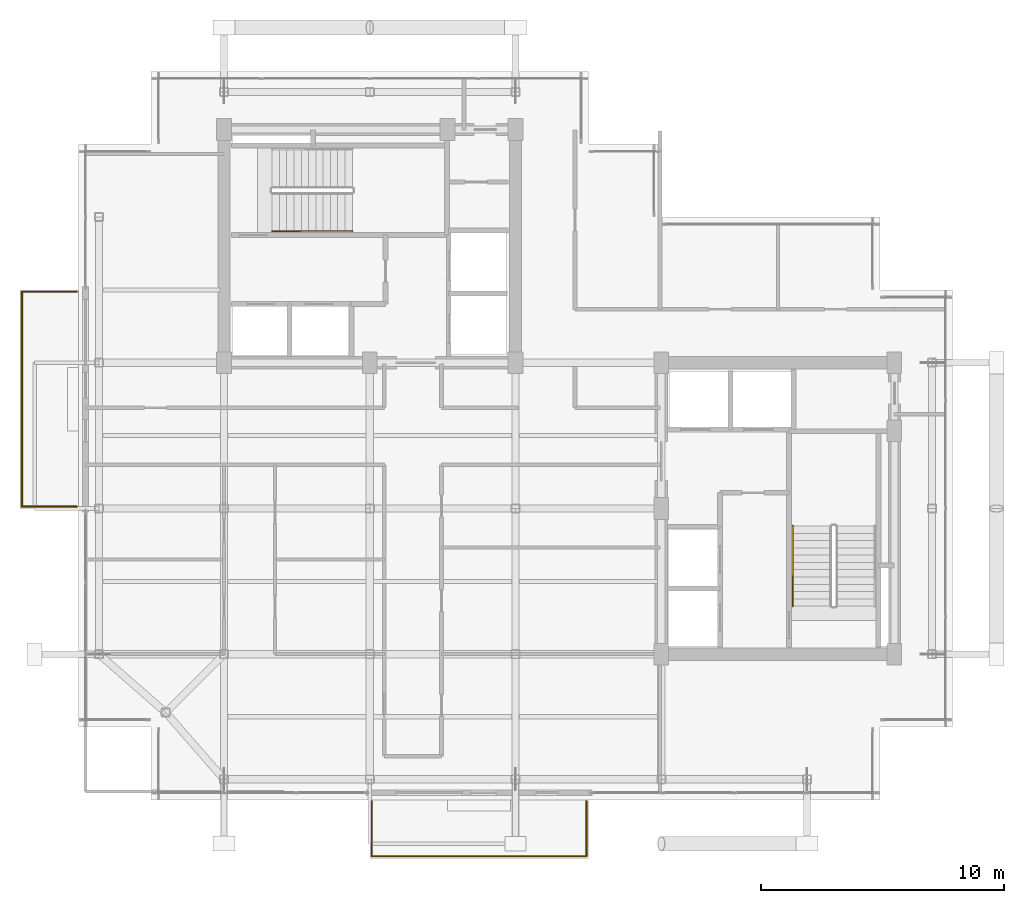
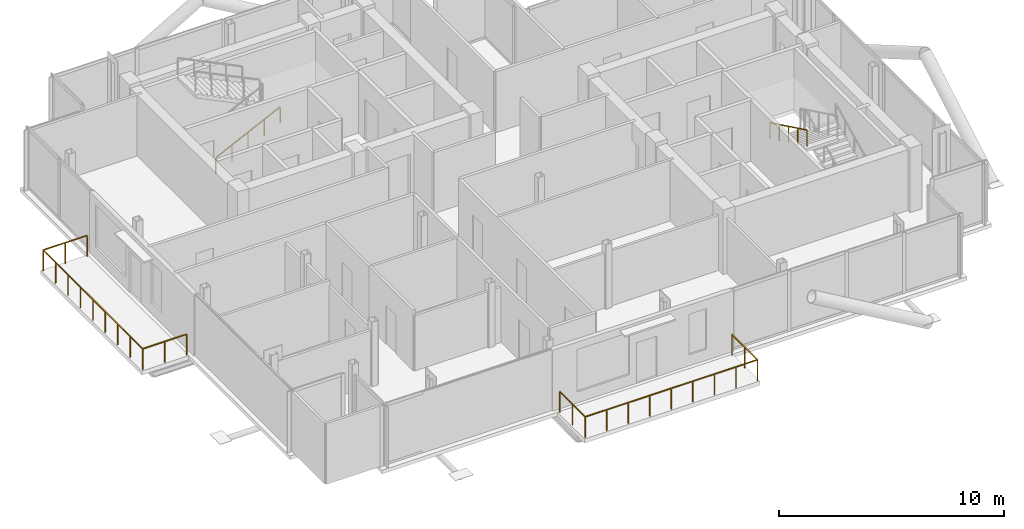
# One storey, part 17 of 18: 4 railings.
"""IFC4 building model written with IfcOpenShell, lengths in metres."""

import ifcopenshell
import ifcopenshell.guid

model = None  # the IFC model being written
_history = None  # IfcOwnerHistory: only IFC2X3 demands one
_inside = {}  # id of a spatial element -> (the spatial element, [elements in it])
_under = {}  # id of a project, library or spatial element -> (it, [spatial elements below it])
_declared = {}  # id of a project -> (the project, [libraries it declares])
_typed = {}  # id of a type object -> (the type object, [elements of that type])
_made_of = {}  # id of a material, layer set ... -> (it, [elements and type objects made of it])


def new_model(schema):
    """Start an empty IFC model of exactly this schema.

    Asked for "IFC4X3", IfcOpenShell would pick the latest addendum, in which some entities
    have other attributes; the version numbers below select the first issue.
    IFC2X3 requires an IfcOwnerHistory on every rooted entity: one is made here for all.
    """
    global model, _history
    if schema == "IFC4X3":
        model = ifcopenshell.file(schema_version=(4, 3, 0, 0))
    else:
        model = ifcopenshell.file(schema=schema)
    _inside.clear()
    _under.clear()
    _declared.clear()
    _typed.clear()
    _made_of.clear()
    _history = None
    if model.schema == "IFC2X3":
        org = make("IfcOrganization", Name="unknown")
        user = make(
            "IfcPersonAndOrganization",
            ThePerson=make("IfcPerson", FamilyName="unknown"),
            TheOrganization=org,
        )
        app = make(
            "IfcApplication",
            ApplicationDeveloper=org,
            Version="unknown",
            ApplicationFullName="unknown",
            ApplicationIdentifier="unknown",
        )
        _history = make(
            "IfcOwnerHistory",
            OwningUser=user,
            OwningApplication=app,
            ChangeAction="ADDED",
            CreationDate=0,
        )
    return model


def make(cls, **values):
    """One entity of the class cls with the attributes given. An attribute that is None is left unset."""
    return model.create_entity(
        cls, **{name: value for name, value in values.items() if value is not None}
    )


def rooted(cls, **values):
    """An entity with a GlobalId (a new one), such as an element, a storey or a relation."""
    return make(cls, GlobalId=ifcopenshell.guid.new(), OwnerHistory=_history, **values)


def si_unit(unit_type, name, prefix=None):
    """IfcSIUnit, for example si_unit("LENGTHUNIT", "METRE", prefix="MILLI")."""
    return make("IfcSIUnit", UnitType=unit_type, Prefix=prefix, Name=name)


def assignment(units):
    """IfcUnitAssignment: the units of a project."""
    return None if units is None else make("IfcUnitAssignment", Units=units)


def point(xyz):
    """IfcCartesianPoint."""
    return None if xyz is None else make("IfcCartesianPoint", Coordinates=xyz)


def direction(xyz):
    """IfcDirection."""
    return None if xyz is None else make("IfcDirection", DirectionRatios=xyz)


def frame(location, z_axis=None, x_axis=None):
    """IfcAxis2Placement3D, a coordinate frame: its origin and axes. An axis left out is left unset."""
    return make(
        "IfcAxis2Placement3D",
        Location=point(location),
        Axis=direction(z_axis),
        RefDirection=direction(x_axis),
    )


def frame_2d(location, x_axis=None):
    """IfcAxis2Placement2D, a coordinate frame in the plane: its origin and x axis."""
    return make(
        "IfcAxis2Placement2D", Location=point(location), RefDirection=direction(x_axis)
    )


def origin():
    """The frame at (0, 0, 0) with its axes left unset."""
    return frame((0.0, 0.0, 0.0))


def origin_2d():
    """The frame at (0, 0) in the plane with its x axis left unset."""
    return frame_2d((0.0, 0.0))


def place(relative_to, where):
    """IfcLocalPlacement: puts the frame where relative to a parent placement (None: the world)."""
    return make(
        "IfcLocalPlacement", PlacementRelTo=relative_to, RelativePlacement=where
    )


def context(
    kind, dimensions, precision=None, world=None, true_north=None, identifier=None
):
    """IfcGeometricRepresentationContext, for example the 3D "Model" context."""
    return make(
        "IfcGeometricRepresentationContext",
        ContextIdentifier=identifier,
        ContextType=kind,
        CoordinateSpaceDimension=dimensions,
        Precision=precision,
        WorldCoordinateSystem=world,
        TrueNorth=true_north,
    )


def subcontext(parent, identifier, kind, view, scale=None):
    """IfcGeometricRepresentationSubContext, for example "Body" below "Model"."""
    return make(
        "IfcGeometricRepresentationSubContext",
        ContextIdentifier=identifier,
        ContextType=kind,
        ParentContext=parent,
        TargetScale=scale,
        TargetView=view,
    )


def project(units=None, contexts=None):
    """IfcProject with its units and contexts."""
    return rooted(
        "IfcProject",
        Name="project",
        RepresentationContexts=contexts,
        UnitsInContext=assignment(units),
    )


def spatial(cls, under=None, at=None, **own):
    """A site, building, storey or space (cls), placed at a placement, below another one or the project."""
    s = rooted(cls, ObjectPlacement=at, **own)
    if under is not None:
        _under.setdefault(under.id(), (under, []))[1].append(s)
    return s


def profile(cls, at=None, kind="AREA", **sizes):
    """A parametric profile (cls). Its sizes go by their IFC names, for example OverallWidth=200.0."""
    return make(cls, ProfileType=kind, Position=at, **sizes)


def rectangle(**sizes):
    """IfcRectangleProfileDef."""
    return profile("IfcRectangleProfileDef", **sizes)


def extrude(swept, where, along, depth):
    """IfcExtrudedAreaSolid: the profile swept, set in the frame where, extruded along a direction by depth."""
    return make(
        "IfcExtrudedAreaSolid",
        SweptArea=swept,
        Position=where,
        ExtrudedDirection=direction(along),
        Depth=depth,
    )


def shape(context_of_items, identifier, shape_type, items):
    """IfcShapeRepresentation: the items that make up one representation, for example the "Body"."""
    return make(
        "IfcShapeRepresentation",
        ContextOfItems=context_of_items,
        RepresentationIdentifier=identifier,
        RepresentationType=shape_type,
        Items=items,
    )


def material(Name=None, Category=None):
    """IfcMaterial."""
    return make("IfcMaterial", Name=Name, Category=Category)


def made_of(thing, what):
    """Note that an element or type object is made of a material, layer set ...; save() writes the relation."""
    if what is not None:
        _made_of.setdefault(what.id(), (what, []))[1].append(thing)
    return thing


def type_object(cls, material=None, **own):
    """A type object (cls), such as IfcWallType, which elements share."""
    return made_of(rooted(cls, **own), material)


def element(
    cls,
    number,
    at=None,
    inside=None,
    cuts=None,
    type_object=None,
    material=None,
    context=None,
    identifier="Body",
    shape_type=None,
    held_by="IfcProductDefinitionShape",
    body=None,
    shapes=None,
    **own,
):
    """One element of the class cls, such as IfcWall. Its Tag is "e" and its number.

    at: its placement. inside: the storey or other place that contains it. cuts: it is an
    opening in that element (IfcRelVoidsElement). A single representation is given by context,
    identifier, shape_type and body (its items); several are given by shapes. held_by: the class
    of the entity that holds the representations. save() writes the other relations.
    """
    e = rooted(cls, Tag="e%d" % number, ObjectPlacement=at, **own)
    if body is not None:
        shapes = [shape(context, identifier, shape_type, body)]
    if shapes is not None:
        e.Representation = make(held_by, Representations=shapes)
    if inside is not None:
        _inside.setdefault(inside.id(), (inside, []))[1].append(e)
    if cuts is not None:
        rooted(
            "IfcRelVoidsElement", RelatingBuildingElement=cuts, RelatedOpeningElement=e
        )
    if type_object is not None:
        _typed.setdefault(type_object.id(), (type_object, []))[1].append(e)
    return made_of(e, material)


def aggregate(whole, parts):
    """IfcRelAggregates: a whole, such as a stair, and the parts it consists of."""
    return rooted("IfcRelAggregates", RelatingObject=whole, RelatedObjects=parts)


def save(model, path):
    """Write the relations noted so far, then the file.

    IfcRelAggregates (storeys below a building ...), IfcRelContainedInSpatialStructure (elements
    in a storey), IfcRelDefinesByType, IfcRelAssociatesMaterial and IfcRelDeclares: one each for
    every whole, place, type object, material and project.
    """
    for whole, parts in _under.values():
        aggregate(whole, parts)
    for where, things in _inside.values():
        rooted(
            "IfcRelContainedInSpatialStructure",
            RelatedElements=things,
            RelatingStructure=where,
        )
    for kind, things in _typed.values():
        rooted("IfcRelDefinesByType", RelatedObjects=things, RelatingType=kind)
    for what, things in _made_of.values():
        rooted("IfcRelAssociatesMaterial", RelatedObjects=things, RelatingMaterial=what)
    for by, libraries in _declared.values():
        rooted("IfcRelDeclares", RelatingContext=by, RelatedDefinitions=libraries)
    model.write(path)


model = new_model("IFC4")

# Units and contexts
model_context = context("Model", 3, precision=1e-05, world=origin(), true_north=direction((0.0, 1.0)))
body_context = subcontext(model_context, "Body", "Model", "MODEL_VIEW")
ifc_project = project(units=[si_unit("LENGTHUNIT", "METRE"), si_unit("AREAUNIT", "SQUARE_METRE"), si_unit("VOLUMEUNIT", "CUBIC_METRE"), si_unit("PLANEANGLEUNIT", "RADIAN"), si_unit("MASSUNIT", "GRAM", prefix="KILO"), si_unit("THERMODYNAMICTEMPERATUREUNIT", "KELVIN"), si_unit("POWERUNIT", "WATT")], contexts=[model_context])

# Site, building, storey
site_placement = place(None, origin())
site = spatial("IfcSite", under=ifc_project, at=site_placement, CompositionType="ELEMENT")
building_placement = place(site_placement, origin())
building = spatial("IfcBuilding", under=site, at=building_placement, Name="Svarakhadi Broadcast Tower", CompositionType="ELEMENT")
storey_placement = place(building_placement, frame((0.0, 0.0, 264.199951171875)))
storey = spatial("IfcBuildingStorey", under=building, at=storey_placement, Name="L66", CompositionType="ELEMENT", Elevation=264.199951171875)

# Railings
ifc_material_1 = material(Name="Laminated Structural SentryGlas Balustrade 25.5 mm", Category="glass")
railing_type_1 = type_object("IfcRailingType", Name="Guard_Balcony_GR01", PredefinedType="BALUSTRADE", material=ifc_material_1)
railing_1_placement = place(storey_placement, frame((12.080078125, -0.06005859375, 0.0)))
element("IfcRailing", 1, at=railing_1_placement, inside=storey, type_object=railing_type_1, Name="L66 South Tree Balcony Guard GR-05", PredefinedType="BALUSTRADE", context=body_context, shape_type="SweptSolid", body=[
    extrude(rectangle(XDim=0.048095703125, YDim=0.048095703125, at=origin_2d()), frame((0.0, 0.0, 1.1259765625), z_axis=(0.0, -1.0, 0.0), x_axis=(1.0, 0.0, 0.0)), (0.0, 0.0, 1.0), 2.260009765625),
    extrude(rectangle(XDim=0.048095703125, YDim=0.048095703125, at=origin_2d()), frame((0.0, -2.260009765625, 1.1259765625), z_axis=(1.0, 0.0, 0.0), x_axis=(0.0, 1.0, 0.0)), (0.0, 0.0, 1.0), 8.83984375),
    extrude(rectangle(XDim=0.048095703125, YDim=0.048095703125, at=origin_2d()), frame((8.83984375, -2.260009765625, 1.1259765625), z_axis=(0.0, 1.0, 0.0), x_axis=(-1.0, 0.0, 0.0)), (0.0, 0.0, 1.0), 2.260009765625),
    extrude(rectangle(XDim=0.0419921875, YDim=0.0419921875, at=origin_2d()), origin(), (0.0, 0.0, 1.0), 1.101806640625),
    extrude(rectangle(XDim=0.0419921875, YDim=0.0419921875, at=origin_2d()), frame((0.0, -1.1298828125, 0.0)), (0.0, 0.0, 1.0), 1.101806640625),
    extrude(rectangle(XDim=0.0419921875, YDim=0.0419921875, at=origin_2d()), frame((0.0, -2.260009765625, 0.0)), (0.0, 0.0, 1.0), 1.101806640625),
    extrude(rectangle(XDim=0.0419921875, YDim=0.0419921875, at=origin_2d()), frame((1.10498046875, -2.260009765625, 0.0)), (0.0, 0.0, 1.0), 1.101806640625),
    extrude(rectangle(XDim=0.0419921875, YDim=0.0419921875, at=origin_2d()), frame((2.2099609375, -2.260009765625, 0.0)), (0.0, 0.0, 1.0), 1.101806640625),
    extrude(rectangle(XDim=0.0419921875, YDim=0.0419921875, at=origin_2d()), frame((3.31494140625, -2.260009765625, 0.0)), (0.0, 0.0, 1.0), 1.101806640625),
    extrude(rectangle(XDim=0.0419921875, YDim=0.0419921875, at=origin_2d()), frame((4.419921875, -2.260009765625, 0.0)), (0.0, 0.0, 1.0), 1.101806640625),
    extrude(rectangle(XDim=0.0419921875, YDim=0.0419921875, at=origin_2d()), frame((5.52490234375, -2.260009765625, 0.0)), (0.0, 0.0, 1.0), 1.101806640625),
    extrude(rectangle(XDim=0.0419921875, YDim=0.0419921875, at=origin_2d()), frame((6.6298828125, -2.260009765625, 0.0)), (0.0, 0.0, 1.0), 1.101806640625),
    extrude(rectangle(XDim=0.0419921875, YDim=0.0419921875, at=origin_2d()), frame((7.73486328125, -2.260009765625, 0.0)), (0.0, 0.0, 1.0), 1.101806640625),
    extrude(rectangle(XDim=0.0419921875, YDim=0.0419921875, at=origin_2d()), frame((8.83984375, -2.260009765625, 0.0)), (0.0, 0.0, 1.0), 1.101806640625),
    extrude(rectangle(XDim=0.0419921875, YDim=0.0419921875, at=origin_2d()), frame((8.83984375, -1.1298828125, 0.0)), (0.0, 0.0, 1.0), 1.101806640625),
    extrude(rectangle(XDim=0.0419921875, YDim=0.0419921875, at=origin_2d()), frame((8.83984375, 0.0, 0.0)), (0.0, 0.0, 1.0), 1.101806640625),
])
railing_2_placement = place(storey_placement, frame((-0.06005859375, 12.080078125, 0.0)))
element("IfcRailing", 2, at=railing_2_placement, inside=storey, type_object=railing_type_1, Name="L66 West Tree Balcony Guard GR-05", PredefinedType="BALUSTRADE", context=body_context, shape_type="SweptSolid", body=[
    extrude(rectangle(XDim=0.048095703125, YDim=0.048095703125, at=origin_2d()), frame((0.0, 0.0, 1.1259765625), z_axis=(-1.0, 0.0, 0.0), x_axis=(0.0, -1.0, 0.0)), (0.0, 0.0, 1.0), 2.260009765625),
    extrude(rectangle(XDim=0.048095703125, YDim=0.048095703125, at=origin_2d()), frame((-2.260009765625, 0.0, 1.1259765625), z_axis=(0.0, 1.0, 0.0), x_axis=(-1.0, 0.0, 0.0)), (0.0, 0.0, 1.0), 8.83984375),
    extrude(rectangle(XDim=0.048095703125, YDim=0.048095703125, at=origin_2d()), frame((-2.260009765625, 8.83984375, 1.1259765625), z_axis=(1.0, 0.0, 0.0), x_axis=(0.0, 1.0, 0.0)), (0.0, 0.0, 1.0), 2.260009765625),
    extrude(rectangle(XDim=0.0419921875, YDim=0.0419921875, at=origin_2d()), origin(), (0.0, 0.0, 1.0), 1.101806640625),
    extrude(rectangle(XDim=0.0419921875, YDim=0.0419921875, at=origin_2d()), frame((-1.1298828125, 0.0, 0.0)), (0.0, 0.0, 1.0), 1.101806640625),
    extrude(rectangle(XDim=0.0419921875, YDim=0.0419921875, at=origin_2d()), frame((-2.260009765625, 0.0, 0.0)), (0.0, 0.0, 1.0), 1.101806640625),
    extrude(rectangle(XDim=0.0419921875, YDim=0.0419921875, at=origin_2d()), frame((-2.260009765625, 1.10498046875, 0.0)), (0.0, 0.0, 1.0), 1.101806640625),
    extrude(rectangle(XDim=0.0419921875, YDim=0.0419921875, at=origin_2d()), frame((-2.260009765625, 2.2099609375, 0.0)), (0.0, 0.0, 1.0), 1.101806640625),
    extrude(rectangle(XDim=0.0419921875, YDim=0.0419921875, at=origin_2d()), frame((-2.260009765625, 3.31494140625, 0.0)), (0.0, 0.0, 1.0), 1.101806640625),
    extrude(rectangle(XDim=0.0419921875, YDim=0.0419921875, at=origin_2d()), frame((-2.260009765625, 4.419921875, 0.0)), (0.0, 0.0, 1.0), 1.101806640625),
    extrude(rectangle(XDim=0.0419921875, YDim=0.0419921875, at=origin_2d()), frame((-2.260009765625, 5.52490234375, 0.0)), (0.0, 0.0, 1.0), 1.101806640625),
    extrude(rectangle(XDim=0.0419921875, YDim=0.0419921875, at=origin_2d()), frame((-2.260009765625, 6.6298828125, 0.0)), (0.0, 0.0, 1.0), 1.101806640625),
    extrude(rectangle(XDim=0.0419921875, YDim=0.0419921875, at=origin_2d()), frame((-2.260009765625, 7.73486328125, 0.0)), (0.0, 0.0, 1.0), 1.101806640625),
    extrude(rectangle(XDim=0.0419921875, YDim=0.0419921875, at=origin_2d()), frame((-2.260009765625, 8.83984375, 0.0)), (0.0, 0.0, 1.0), 1.101806640625),
    extrude(rectangle(XDim=0.0419921875, YDim=0.0419921875, at=origin_2d()), frame((-1.1298828125, 8.83984375, 0.0)), (0.0, 0.0, 1.0), 1.101806640625),
    extrude(rectangle(XDim=0.0419921875, YDim=0.0419921875, at=origin_2d()), frame((0.0, 8.83984375, 0.0)), (0.0, 0.0, 1.0), 1.101806640625),
])
ifc_material_2 = material(Name="Anodised Bronze Aluminium AA 6063-T6", Category="aluminium")
railing_type_2 = type_object("IfcRailingType", Name="Handrail_Stair_HR01", PredefinedType="HANDRAIL", material=ifc_material_2)
railing_3_placement = place(storey_placement, frame((7.97998046875, 23.409912109375, 0.14599609375)))
element("IfcRailing", 3, at=railing_3_placement, inside=storey, type_object=railing_type_2, Name="L66 ST-01 stair handrail 1", PredefinedType="HANDRAIL", context=body_context, shape_type="SweptSolid", body=[
    extrude(rectangle(XDim=0.048095703125, YDim=0.048095703125, at=origin_2d()), frame((0.0, 0.0, 0.8759765625), z_axis=(0.899387838337, 0.0, 0.437151594131), x_axis=(0.0, 1.0, 0.0)), (0.0, 0.0, 1.0), 3.669189453125),
    extrude(rectangle(XDim=0.0419921875, YDim=0.0419921875, at=origin_2d()), origin(), (0.0, 0.0, 1.0), 0.851806640625),
    extrude(rectangle(XDim=0.0419921875, YDim=0.0419921875, at=origin_2d()), frame((0.824951171875, 0.0, 0.40087890625)), (0.0, 0.0, 1.0), 0.851806640625),
    extrude(rectangle(XDim=0.0419921875, YDim=0.0419921875, at=origin_2d()), frame((1.64990234375, 0.0, 0.802001953125)), (0.0, 0.0, 1.0), 0.851806640625),
    extrude(rectangle(XDim=0.0419921875, YDim=0.0419921875, at=origin_2d()), frame((2.47509765625, 0.0, 1.203125)), (0.0, 0.0, 1.0), 0.851806640625),
    extrude(rectangle(XDim=0.0419921875, YDim=0.0419921875, at=origin_2d()), frame((3.300048828125, 0.0, 1.60400390625)), (0.0, 0.0, 1.0), 0.851806640625),
])
railing_4_placement = place(storey_placement, frame((29.409912109375, 11.280029296875, 1.89599609375)))
element("IfcRailing", 4, at=railing_4_placement, inside=storey, type_object=railing_type_2, Name="L66 ST-02 stair handrail 2", PredefinedType="HANDRAIL", context=body_context, shape_type="SweptSolid", body=[
    extrude(rectangle(XDim=0.048095703125, YDim=0.048095703125, at=origin_2d()), frame((0.0, 0.0, 0.8759765625), z_axis=(0.0, -0.899387838337, 0.437151594131), x_axis=(1.0, 0.0, 0.0)), (0.0, 0.0, 1.0), 3.669189453125),
    extrude(rectangle(XDim=0.0419921875, YDim=0.0419921875, at=origin_2d()), origin(), (0.0, 0.0, 1.0), 0.851806640625),
    extrude(rectangle(XDim=0.0419921875, YDim=0.0419921875, at=origin_2d()), frame((0.0, -0.824951171875, 0.40087890625)), (0.0, 0.0, 1.0), 0.851806640625),
    extrude(rectangle(XDim=0.0419921875, YDim=0.0419921875, at=origin_2d()), frame((0.0, -1.64990234375, 0.802001953125)), (0.0, 0.0, 1.0), 0.851806640625),
    extrude(rectangle(XDim=0.0419921875, YDim=0.0419921875, at=origin_2d()), frame((0.0, -2.47509765625, 1.203125)), (0.0, 0.0, 1.0), 0.851806640625),
    extrude(rectangle(XDim=0.0419921875, YDim=0.0419921875, at=origin_2d()), frame((0.0, -3.300048828125, 1.60400390625)), (0.0, 0.0, 1.0), 0.851806640625),
])

save(model, "model.ifc")
